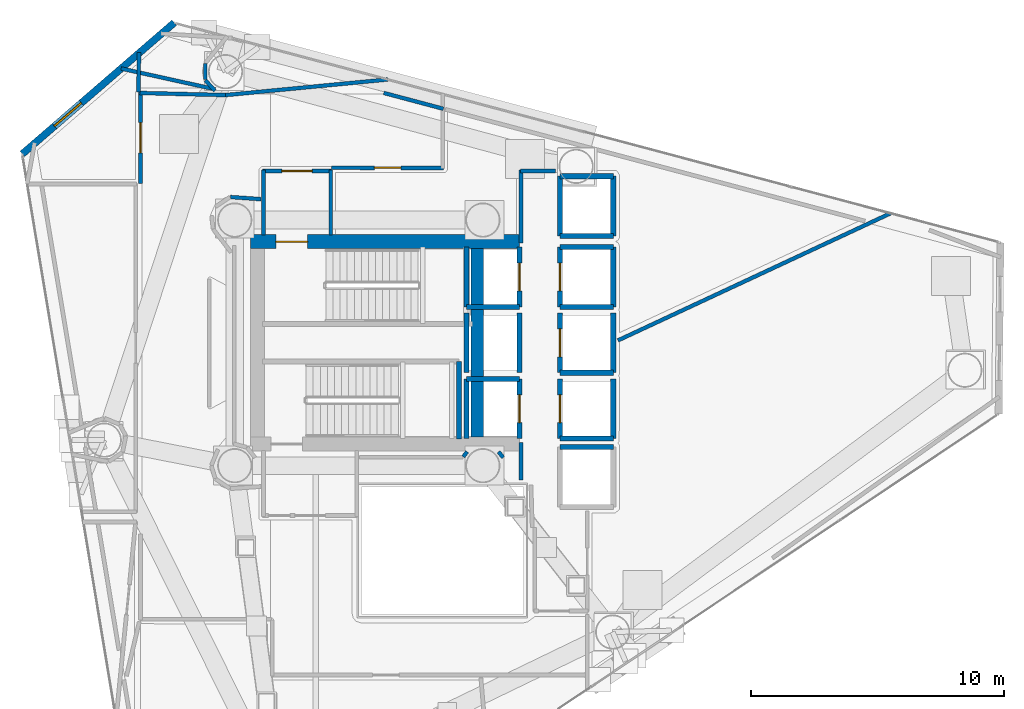
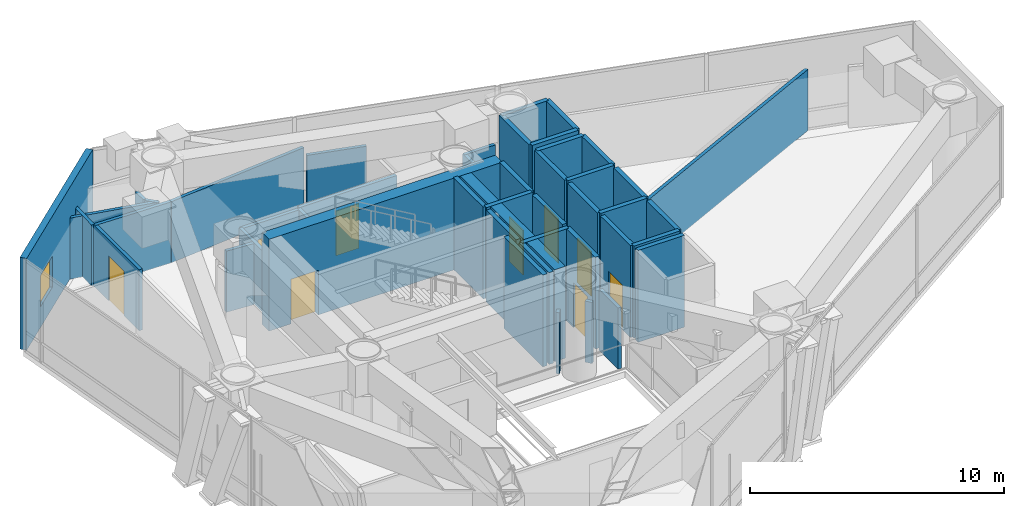
# One storey, part 18 of 22: 46 walls, 9 doors, 1 window, 10 openings.
"""IFC4 building model written with IfcOpenShell, lengths in metres."""

import ifcopenshell
import ifcopenshell.guid

model = None  # the IFC model being written
_history = None  # IfcOwnerHistory: only IFC2X3 demands one
_inside = {}  # id of a spatial element -> (the spatial element, [elements in it])
_under = {}  # id of a project, library or spatial element -> (it, [spatial elements below it])
_declared = {}  # id of a project -> (the project, [libraries it declares])
_typed = {}  # id of a type object -> (the type object, [elements of that type])
_made_of = {}  # id of a material, layer set ... -> (it, [elements and type objects made of it])


def new_model(schema):
    """Start an empty IFC model of exactly this schema.

    Asked for "IFC4X3", IfcOpenShell would pick the latest addendum, in which some entities
    have other attributes; the version numbers below select the first issue.
    IFC2X3 requires an IfcOwnerHistory on every rooted entity: one is made here for all.
    """
    global model, _history
    if schema == "IFC4X3":
        model = ifcopenshell.file(schema_version=(4, 3, 0, 0))
    else:
        model = ifcopenshell.file(schema=schema)
    _inside.clear()
    _under.clear()
    _declared.clear()
    _typed.clear()
    _made_of.clear()
    _history = None
    if model.schema == "IFC2X3":
        org = make("IfcOrganization", Name="unknown")
        user = make(
            "IfcPersonAndOrganization",
            ThePerson=make("IfcPerson", FamilyName="unknown"),
            TheOrganization=org,
        )
        app = make(
            "IfcApplication",
            ApplicationDeveloper=org,
            Version="unknown",
            ApplicationFullName="unknown",
            ApplicationIdentifier="unknown",
        )
        _history = make(
            "IfcOwnerHistory",
            OwningUser=user,
            OwningApplication=app,
            ChangeAction="ADDED",
            CreationDate=0,
        )
    return model


def make(cls, **values):
    """One entity of the class cls with the attributes given. An attribute that is None is left unset."""
    return model.create_entity(
        cls, **{name: value for name, value in values.items() if value is not None}
    )


def rooted(cls, **values):
    """An entity with a GlobalId (a new one), such as an element, a storey or a relation."""
    return make(cls, GlobalId=ifcopenshell.guid.new(), OwnerHistory=_history, **values)


def si_unit(unit_type, name, prefix=None):
    """IfcSIUnit, for example si_unit("LENGTHUNIT", "METRE", prefix="MILLI")."""
    return make("IfcSIUnit", UnitType=unit_type, Prefix=prefix, Name=name)


def assignment(units):
    """IfcUnitAssignment: the units of a project."""
    return None if units is None else make("IfcUnitAssignment", Units=units)


def point(xyz):
    """IfcCartesianPoint."""
    return None if xyz is None else make("IfcCartesianPoint", Coordinates=xyz)


def direction(xyz):
    """IfcDirection."""
    return None if xyz is None else make("IfcDirection", DirectionRatios=xyz)


def frame(location, z_axis=None, x_axis=None):
    """IfcAxis2Placement3D, a coordinate frame: its origin and axes. An axis left out is left unset."""
    return make(
        "IfcAxis2Placement3D",
        Location=point(location),
        Axis=direction(z_axis),
        RefDirection=direction(x_axis),
    )


def frame_2d(location, x_axis=None):
    """IfcAxis2Placement2D, a coordinate frame in the plane: its origin and x axis."""
    return make(
        "IfcAxis2Placement2D", Location=point(location), RefDirection=direction(x_axis)
    )


def origin():
    """The frame at (0, 0, 0) with its axes left unset."""
    return frame((0.0, 0.0, 0.0))


def place(relative_to, where):
    """IfcLocalPlacement: puts the frame where relative to a parent placement (None: the world)."""
    return make(
        "IfcLocalPlacement", PlacementRelTo=relative_to, RelativePlacement=where
    )


def context(
    kind, dimensions, precision=None, world=None, true_north=None, identifier=None
):
    """IfcGeometricRepresentationContext, for example the 3D "Model" context."""
    return make(
        "IfcGeometricRepresentationContext",
        ContextIdentifier=identifier,
        ContextType=kind,
        CoordinateSpaceDimension=dimensions,
        Precision=precision,
        WorldCoordinateSystem=world,
        TrueNorth=true_north,
    )


def subcontext(parent, identifier, kind, view, scale=None):
    """IfcGeometricRepresentationSubContext, for example "Body" below "Model"."""
    return make(
        "IfcGeometricRepresentationSubContext",
        ContextIdentifier=identifier,
        ContextType=kind,
        ParentContext=parent,
        TargetScale=scale,
        TargetView=view,
    )


def project(units=None, contexts=None):
    """IfcProject with its units and contexts."""
    return rooted(
        "IfcProject",
        Name="project",
        RepresentationContexts=contexts,
        UnitsInContext=assignment(units),
    )


def spatial(cls, under=None, at=None, **own):
    """A site, building, storey or space (cls), placed at a placement, below another one or the project."""
    s = rooted(cls, ObjectPlacement=at, **own)
    if under is not None:
        _under.setdefault(under.id(), (under, []))[1].append(s)
    return s


def profile(cls, at=None, kind="AREA", **sizes):
    """A parametric profile (cls). Its sizes go by their IFC names, for example OverallWidth=200.0."""
    return make(cls, ProfileType=kind, Position=at, **sizes)


def rectangle(**sizes):
    """IfcRectangleProfileDef."""
    return profile("IfcRectangleProfileDef", **sizes)


def extrude(swept, where, along, depth):
    """IfcExtrudedAreaSolid: the profile swept, set in the frame where, extruded along a direction by depth."""
    return make(
        "IfcExtrudedAreaSolid",
        SweptArea=swept,
        Position=where,
        ExtrudedDirection=direction(along),
        Depth=depth,
    )


def shape(context_of_items, identifier, shape_type, items):
    """IfcShapeRepresentation: the items that make up one representation, for example the "Body"."""
    return make(
        "IfcShapeRepresentation",
        ContextOfItems=context_of_items,
        RepresentationIdentifier=identifier,
        RepresentationType=shape_type,
        Items=items,
    )


def material(Name=None, Category=None):
    """IfcMaterial."""
    return make("IfcMaterial", Name=Name, Category=Category)


def layer(
    of_material, thickness, ventilated=None, Name=None, Category=None, Priority=None
):
    """IfcMaterialLayer: one layer of a wall or slab, of a material (None: an air gap)."""
    return make(
        "IfcMaterialLayer",
        Material=of_material,
        LayerThickness=thickness,
        IsVentilated=ventilated,
        Name=Name,
        Category=Category,
        Priority=Priority,
    )


def layer_set(layers, Name=None):
    """IfcMaterialLayerSet."""
    return make("IfcMaterialLayerSet", MaterialLayers=layers, LayerSetName=Name)


def made_of(thing, what):
    """Note that an element or type object is made of a material, layer set ...; save() writes the relation."""
    if what is not None:
        _made_of.setdefault(what.id(), (what, []))[1].append(thing)
    return thing


def type_object(cls, material=None, **own):
    """A type object (cls), such as IfcWallType, which elements share."""
    return made_of(rooted(cls, **own), material)


def element(
    cls,
    number,
    at=None,
    inside=None,
    cuts=None,
    type_object=None,
    material=None,
    context=None,
    identifier="Body",
    shape_type=None,
    held_by="IfcProductDefinitionShape",
    body=None,
    shapes=None,
    **own,
):
    """One element of the class cls, such as IfcWall. Its Tag is "e" and its number.

    at: its placement. inside: the storey or other place that contains it. cuts: it is an
    opening in that element (IfcRelVoidsElement). A single representation is given by context,
    identifier, shape_type and body (its items); several are given by shapes. held_by: the class
    of the entity that holds the representations. save() writes the other relations.
    """
    e = rooted(cls, Tag="e%d" % number, ObjectPlacement=at, **own)
    if body is not None:
        shapes = [shape(context, identifier, shape_type, body)]
    if shapes is not None:
        e.Representation = make(held_by, Representations=shapes)
    if inside is not None:
        _inside.setdefault(inside.id(), (inside, []))[1].append(e)
    if cuts is not None:
        rooted(
            "IfcRelVoidsElement", RelatingBuildingElement=cuts, RelatedOpeningElement=e
        )
    if type_object is not None:
        _typed.setdefault(type_object.id(), (type_object, []))[1].append(e)
    return made_of(e, material)


def fill(opening, filler):
    """IfcRelFillsElement: the door or window that sits in an opening."""
    return rooted(
        "IfcRelFillsElement",
        RelatingOpeningElement=opening,
        RelatedBuildingElement=filler,
    )


def aggregate(whole, parts):
    """IfcRelAggregates: a whole, such as a stair, and the parts it consists of."""
    return rooted("IfcRelAggregates", RelatingObject=whole, RelatedObjects=parts)


def save(model, path):
    """Write the relations noted so far, then the file.

    IfcRelAggregates (storeys below a building ...), IfcRelContainedInSpatialStructure (elements
    in a storey), IfcRelDefinesByType, IfcRelAssociatesMaterial and IfcRelDeclares: one each for
    every whole, place, type object, material and project.
    """
    for whole, parts in _under.values():
        aggregate(whole, parts)
    for where, things in _inside.values():
        rooted(
            "IfcRelContainedInSpatialStructure",
            RelatedElements=things,
            RelatingStructure=where,
        )
    for kind, things in _typed.values():
        rooted("IfcRelDefinesByType", RelatedObjects=things, RelatingType=kind)
    for what, things in _made_of.values():
        rooted("IfcRelAssociatesMaterial", RelatedObjects=things, RelatingMaterial=what)
    for by, libraries in _declared.values():
        rooted("IfcRelDeclares", RelatingContext=by, RelatedDefinitions=libraries)
    model.write(path)


model = new_model("IFC4")

# Units and contexts
model_context = context("Model", 3, precision=1e-05, world=origin(), true_north=direction((0.0, 1.0)))
body_context = subcontext(model_context, "Body", "Model", "MODEL_VIEW")
ifc_project = project(units=[si_unit("LENGTHUNIT", "METRE"), si_unit("AREAUNIT", "SQUARE_METRE"), si_unit("VOLUMEUNIT", "CUBIC_METRE"), si_unit("PLANEANGLEUNIT", "RADIAN"), si_unit("MASSUNIT", "GRAM", prefix="KILO")], contexts=[model_context])

# Site, building, storey
site_placement = place(None, origin())
site = spatial("IfcSite", under=ifc_project, at=site_placement, CompositionType="ELEMENT")
building_placement = place(site_placement, origin())
building = spatial("IfcBuilding", under=site, at=building_placement, Name="Qianvela Tower", CompositionType="ELEMENT")
storey_placement = place(building_placement, frame((0.0, 0.0, 184.60009765625)))
storey = spatial("IfcBuildingStorey", under=building, at=storey_placement, Name="L47", CompositionType="ELEMENT", Elevation=184.60009765625)

# Wall, opening, window
ifc_material_1 = material(Name="Terracotta Cladding on Concrete C40", Category="masonry")
ifc_layer_1 = layer(ifc_material_1, 0.280029296875)
ifc_layer_set_1 = layer_set([ifc_layer_1], Name="Terracotta Cladding on Concrete C40")
wall_type_1 = type_object("IfcWallType", Name="TERRACOTTA-WALL-280", PredefinedType="SOLIDWALL", material=ifc_layer_set_1)
wall_1_placement = place(storey_placement, frame((26.2099609375, 41.344970703125, 0.0), z_axis=(0.0, 0.0, 1.0), x_axis=(-0.756696991228, -0.653765755808, 0.0)))
wall_1 = element("IfcWall", 1, at=wall_1_placement, inside=storey, type_object=wall_type_1, Name="L47 Terracotta Chamfer Facet Wall 3", PredefinedType="SOLIDWALL", context=body_context, shape_type="SweptSolid", body=[
    extrude(rectangle(XDim=7.92919921875, YDim=0.280029296875, at=frame_2d((3.964599609375, 0.0))), origin(), (0.0, 0.0, 1.0), 4.419921875),
])
opening_1_placement = place(wall_1_placement, frame((4.850341796875, 0.0, 1.0)))
opening_1 = element("IfcOpeningElement", 2, at=opening_1_placement, cuts=wall_1, Name="Opening W-06", PredefinedType="OPENING", context=body_context, shape_type="SweptSolid", body=[
    extrude(rectangle(XDim=1.39990234375, YDim=1.5, at=frame_2d((0.699951171875, 0.75))), frame((0.0, 0.14990234375, 0.0), z_axis=(0.0, -1.0, 0.0), x_axis=(1.0, 0.0, 0.0)), (0.0, 0.0, 1.0), 0.300048828125),
])
ifc_material_2 = material(Name="Thermally Broken Aluminium and Low-E Glass", Category="aluminium")
window_type = type_object("IfcWindowType", Name="WIN-REF-1400x1500", PartitioningType="SINGLE_PANEL", PredefinedType="WINDOW", material=ifc_material_2)
window_placement = place(opening_1_placement, origin())
window = element("IfcWindow", 3, at=window_placement, inside=storey, type_object=window_type, Name="L47 Chamfer Facet Window 3.1", OverallHeight=1.5, OverallWidth=1.39990234375, PartitioningType="SINGLE_PANEL", PredefinedType="WINDOW", context=body_context, shape_type="SweptSolid", body=[
    extrude(rectangle(XDim=1.39990234375, YDim=1.5, at=frame_2d((0.699951171875, 0.75))), frame((0.0, 0.030029296875, 0.0), z_axis=(0.0, -1.0, 0.0), x_axis=(1.0, 0.0, 0.0)), (0.0, 0.0, 1.0), 0.06005859375),
])
fill(opening_1, window)

# Wall, opening, door
ifc_material_3 = material(Name="Concrete C60", Category="concrete")
ifc_layer_2 = layer(ifc_material_3, 0.550048828125)
ifc_layer_set_2 = layer_set([ifc_layer_2], Name="Concrete C60")
wall_type_2 = type_object("IfcWallType", Name="WT-CORE-550", PredefinedType="SHEAR", material=ifc_layer_set_2)
wall_2_placement = place(storey_placement, frame((29.22998046875, 32.695068359375, 0.0), z_axis=(0.0, 0.0, 1.0), x_axis=(1.0, 0.0, 0.0)))
wall_2 = element("IfcWall", 4, at=wall_2_placement, inside=storey, type_object=wall_type_2, Name="L47 North Core Shear Wall", PredefinedType="SHEAR", context=body_context, shape_type="SweptSolid", body=[
    extrude(rectangle(XDim=10.6201171875, YDim=0.550048828125, at=frame_2d((5.31005859375, 0.0))), origin(), (0.0, 0.0, 1.0), 4.419921875),
])
opening_2_placement = place(wall_2_placement, frame((0.9951171875, 0.0, 0.0)))
opening_2 = element("IfcOpeningElement", 5, at=opening_2_placement, cuts=wall_2, Name="Opening D-ST1", PredefinedType="OPENING", context=body_context, shape_type="SweptSolid", body=[
    extrude(rectangle(XDim=1.25, YDim=2.14990234375, at=frame_2d((0.625, 1.074951171875))), frame((0.0, 0.284912109375, 0.0), z_axis=(0.0, -1.0, 0.0), x_axis=(1.0, 0.0, 0.0)), (0.0, 0.0, 1.0), 0.570068359375),
])
ifc_material_4 = material(Name="Galvanised Fire Steel Q355B", Category="steel")
door_type_1 = type_object("IfcDoorType", Name="DT-STAIR-FD90", OperationType="NOTDEFINED", PredefinedType="DOOR", material=ifc_material_4)
door_1_placement = place(opening_2_placement, origin())
door_1 = element("IfcDoor", 6, at=door_1_placement, inside=storey, type_object=door_type_1, Name="L47 Stair ST-1 Exit Door", OperationType="SINGLE_SWING_RIGHT", OverallHeight=2.14990234375, OverallWidth=1.25, PredefinedType="DOOR", context=body_context, shape_type="SweptSolid", body=[
    extrude(rectangle(XDim=1.25, YDim=2.14990234375, at=frame_2d((0.625, 1.074951171875))), frame((0.0, 0.02490234375, 0.0), z_axis=(0.0, -1.0, 0.0), x_axis=(1.0, 0.0, 0.0)), (0.0, 0.0, 1.0), 0.050048828125),
])
fill(opening_2, door_1)

# Walls
wall_3_placement = place(storey_placement, frame((38.179931640625, 24.97998046875, 0.0), z_axis=(0.0, 0.0, 1.0), x_axis=(0.0, 1.0, 0.0)))
element("IfcWall", 7, at=wall_3_placement, inside=storey, type_object=wall_type_2, Name="L47 East Spine Core Shear Wall", PredefinedType="SHEAR", context=body_context, shape_type="SweptSolid", body=[
    extrude(rectangle(XDim=7.43994140625, YDim=0.5, at=frame_2d((3.719970703125, 0.0))), origin(), (0.0, 0.0, 1.0), 4.419921875),
])
ifc_material_5 = material(Name="Fire-Rated Acoustic Gypsum Board")
ifc_layer_3 = layer(ifc_material_5, 0.14990234375)
ifc_layer_set_3 = layer_set([ifc_layer_3], Name="Fire-Rated Acoustic Gypsum Board")
wall_type_3 = type_object("IfcWallType", Name="WT-CORR-150", PredefinedType="PARTITIONING", material=ifc_layer_set_3)
wall_4_placement = place(storey_placement, frame((29.73095703125, 32.9580078125, 0.0), z_axis=(0.0, 0.0, 1.0), x_axis=(0.0, 1.0, 0.0)))
element("IfcWall", 8, at=wall_4_placement, inside=storey, type_object=wall_type_3, Name="L47 Partition 2", PredefinedType="PARTITIONING", context=body_context, shape_type="SweptSolid", body=[
    extrude(rectangle(XDim=2.56201171875, YDim=0.14990234375, at=frame_2d((1.281005859375, 0.0))), origin(), (0.0, 0.0, 1.0), 2.93994140625),
])

# Wall, opening, door
wall_5_placement = place(storey_placement, frame((29.699951171875, 35.489013671875, 0.0), z_axis=(0.0, 0.0, 1.0), x_axis=(1.0, 0.0, 0.0)))
wall_5 = element("IfcWall", 9, at=wall_5_placement, inside=storey, type_object=wall_type_3, Name="L47 Partition 3", PredefinedType="PARTITIONING", context=body_context, shape_type="SweptSolid", body=[
    extrude(rectangle(XDim=2.719970703125, YDim=0.14990234375, at=frame_2d((1.35986328125, 0.0))), origin(), (0.0, 0.0, 1.0), 2.93994140625),
])
opening_3_placement = place(wall_5_placement, frame((0.760009765625, 0.0, 0.0)))
opening_3 = element("IfcOpeningElement", 10, at=opening_3_placement, cuts=wall_5, Name="Opening D-LB1", PredefinedType="OPENING", context=body_context, shape_type="SweptSolid", body=[
    extrude(rectangle(XDim=1.199951171875, YDim=2.14990234375, at=frame_2d((0.60009765625, 1.074951171875))), frame((0.0, 0.0849609375, 0.0), z_axis=(0.0, -1.0, 0.0), x_axis=(1.0, 0.0, 0.0)), (0.0, 0.0, 1.0), 0.169921875),
])
ifc_material_6 = material(Name="Glazed Fire-Rated Steel Frame", Category="steel")
door_type_2 = type_object("IfcDoorType", Name="DT-LOBBY-FD90", OperationType="NOTDEFINED", PredefinedType="DOOR", material=ifc_material_6)
door_2_placement = place(opening_3_placement, origin())
door_2 = element("IfcDoor", 11, at=door_2_placement, inside=storey, type_object=door_type_2, Name="L47 Door L47 Firefighting Lobby North to L47 Mechanical Plant Corridor", OperationType="SINGLE_SWING_LEFT", OverallHeight=2.14990234375, OverallWidth=1.199951171875, PredefinedType="DOOR", context=body_context, shape_type="SweptSolid", body=[
    extrude(rectangle(XDim=1.199951171875, YDim=2.14990234375, at=frame_2d((0.60009765625, 1.074951171875))), frame((0.0, 0.02490234375, 0.0), z_axis=(0.0, -1.0, 0.0), x_axis=(1.0, 0.0, 0.0)), (0.0, 0.0, 1.0), 0.050048828125),
])
fill(opening_3, door_2)

# Walls
wall_6_placement = place(storey_placement, frame((32.388916015625, 35.52001953125, 0.0), z_axis=(0.0, 0.0, 1.0), x_axis=(0.0, -1.0, 0.0)))
element("IfcWall", 12, at=wall_6_placement, inside=storey, type_object=wall_type_3, Name="L47 Partition 4", PredefinedType="PARTITIONING", context=body_context, shape_type="SweptSolid", body=[
    extrude(rectangle(XDim=2.56201171875, YDim=0.14990234375, at=frame_2d((1.281005859375, 0.0))), origin(), (0.0, 0.0, 1.0), 2.93994140625),
])
wall_7_placement = place(storey_placement, frame((39.910888671875, 23.280029296875, 0.0), z_axis=(0.0, 0.0, 1.0), x_axis=(0.0, 1.0, 0.0)))
element("IfcWall", 13, at=wall_7_placement, inside=storey, type_object=wall_type_3, Name="L47 Partition 10", PredefinedType="PARTITIONING", context=body_context, shape_type="SweptSolid", body=[
    extrude(rectangle(XDim=1.47998046875, YDim=0.14990234375, at=frame_2d((0.739990234375, 0.0))), origin(), (0.0, 0.0, 1.0), 2.93994140625),
])
wall_8_placement = place(storey_placement, frame((39.910888671875, 32.639892578125, 0.0), z_axis=(0.0, 0.0, 1.0), x_axis=(0.0, 1.0, 0.0)))
element("IfcWall", 14, at=wall_8_placement, inside=storey, type_object=wall_type_3, Name="L47 Partition 12", PredefinedType="PARTITIONING", context=body_context, shape_type="SweptSolid", body=[
    extrude(rectangle(XDim=2.880126953125, YDim=0.14990234375, at=frame_2d((1.43994140625, 0.0))), origin(), (0.0, 0.0, 1.0), 2.93994140625),
])
wall_9_placement = place(storey_placement, frame((39.8798828125, 35.489013671875, 0.0), z_axis=(0.0, 0.0, 1.0), x_axis=(1.0, 0.0, 0.0)))
element("IfcWall", 15, at=wall_9_placement, inside=storey, type_object=wall_type_3, Name="L47 Partition 13", PredefinedType="PARTITIONING", context=body_context, shape_type="SweptSolid", body=[
    extrude(rectangle(XDim=1.3828125, YDim=0.14990234375, at=frame_2d((0.69140625, 0.0))), origin(), (0.0, 0.0, 1.0), 2.93994140625),
])
wall_10_placement = place(storey_placement, frame((39.20166015625, 24.169189453125, 0.0), z_axis=(0.0, 0.0, 1.0), x_axis=(-0.622453876994, 0.782656483405, 0.0)))
element("IfcWall", 16, at=wall_10_placement, inside=storey, type_object=wall_type_3, Name="L47 Partition 31", PredefinedType="PARTITIONING", context=body_context, shape_type="SweptSolid", body=[
    extrude(rectangle(XDim=0.29248046875, YDim=0.14990234375, at=frame_2d((0.146240234375, 0.0))), origin(), (0.0, 0.0, 1.0), 2.93994140625),
])
wall_11_placement = place(storey_placement, frame((37.780517578125, 24.398193359375, 0.0), z_axis=(0.0, 0.0, 1.0), x_axis=(-0.622697708845, -0.782462499676, 0.0)))
element("IfcWall", 17, at=wall_11_placement, inside=storey, type_object=wall_type_3, Name="L47 Partition 34", PredefinedType="PARTITIONING", context=body_context, shape_type="SweptSolid", body=[
    extrude(rectangle(XDim=0.253662109375, YDim=0.14990234375, at=frame_2d((0.126953125, 0.0))), origin(), (0.0, 0.0, 1.0), 2.93994140625),
])

# Wall, opening, door
wall_12_placement = place(storey_placement, frame((24.881103515625, 35.0, 0.0), z_axis=(0.0, 0.0, 1.0), x_axis=(0.0, 1.0, 0.0)))
wall_12 = element("IfcWall", 18, at=wall_12_placement, inside=storey, type_object=wall_type_3, Name="L47 Partition 63 seg 3", PredefinedType="PARTITIONING", context=body_context, shape_type="SweptSolid", body=[
    extrude(rectangle(XDim=3.60009765625, YDim=0.14990234375, at=frame_2d((1.800048828125, 0.0))), origin(), (0.0, 0.0, 1.0), 2.93994140625),
])
opening_4_placement = place(wall_12_placement, frame((1.199951171875, 0.0, 0.0)))
opening_4 = element("IfcOpeningElement", 19, at=opening_4_placement, cuts=wall_12, Name="Opening D-LB1", PredefinedType="OPENING", context=body_context, shape_type="SweptSolid", body=[
    extrude(rectangle(XDim=1.199951171875, YDim=2.14990234375, at=frame_2d((0.60009765625, 1.074951171875))), frame((0.0, 0.0849609375, 0.0), z_axis=(0.0, -1.0, 0.0), x_axis=(1.0, 0.0, 0.0)), (0.0, 0.0, 1.0), 0.169921875),
])
door_3_placement = place(opening_4_placement, origin())
door_3 = element("IfcDoor", 20, at=door_3_placement, inside=storey, type_object=door_type_2, Name="L47 Door L47 Fire Refuge Area 3 to L47 Mechanical Plant Corridor", OperationType="SINGLE_SWING_LEFT", OverallHeight=2.14990234375, OverallWidth=1.199951171875, PredefinedType="DOOR", context=body_context, shape_type="SweptSolid", body=[
    extrude(rectangle(XDim=1.199951171875, YDim=2.14990234375, at=frame_2d((0.60009765625, 1.074951171875))), frame((0.0, 0.02490234375, 0.0), z_axis=(0.0, -1.0, 0.0), x_axis=(1.0, 0.0, 0.0)), (0.0, 0.0, 1.0), 0.050048828125),
])
fill(opening_4, door_3)

# Walls
wall_13_placement = place(storey_placement, frame((24.84912109375, 38.569091796875, 0.0), z_axis=(0.0, 0.0, 1.0), x_axis=(0.999692357243, -0.024803041536, 0.0)))
element("IfcWall", 21, at=wall_13_placement, inside=storey, type_object=wall_type_3, Name="L47 Partition 64", PredefinedType="PARTITIONING", context=body_context, shape_type="SweptSolid", body=[
    extrude(rectangle(XDim=3.385986328125, YDim=0.14990234375, at=frame_2d((1.69287109375, 0.0))), origin(), (0.0, 0.0, 1.0), 2.93994140625),
])
wall_14_placement = place(storey_placement, frame((28.2353515625, 38.485107421875, 0.0), z_axis=(0.0, 0.0, 1.0), x_axis=(0.99541493838, 0.095650930208, 0.0)))
element("IfcWall", 22, at=wall_14_placement, inside=storey, type_object=wall_type_3, Name="L47 Partition 65 seg 1", PredefinedType="PARTITIONING", context=body_context, shape_type="SweptSolid", body=[
    extrude(rectangle(XDim=6.43212890625, YDim=0.14990234375, at=frame_2d((3.216064453125, 0.0))), origin(), (0.0, 0.0, 1.0), 2.93994140625),
])
wall_15_placement = place(storey_placement, frame((34.488037109375, 38.570068359375, 0.0), z_axis=(0.0, 0.0, 1.0), x_axis=(0.966314735994, -0.257363227757, 0.0)))
element("IfcWall", 23, at=wall_15_placement, inside=storey, type_object=wall_type_3, Name="L47 Partition 66", PredefinedType="PARTITIONING", context=body_context, shape_type="SweptSolid", body=[
    extrude(rectangle(XDim=2.43603515625, YDim=0.14990234375, at=frame_2d((1.218017578125, 0.0))), origin(), (0.0, 0.0, 1.0), 2.93994140625),
])

# Wall, opening, door
wall_16_placement = place(storey_placement, frame((36.85009765625, 35.611083984375, 0.0), z_axis=(0.0, 0.0, 1.0), x_axis=(-0.999999993926, 0.000110217127, 0.0)))
wall_16 = element("IfcWall", 24, at=wall_16_placement, inside=storey, type_object=wall_type_3, Name="L47 Partition 68 seg 1", PredefinedType="PARTITIONING", context=body_context, shape_type="SweptSolid", body=[
    extrude(rectangle(XDim=4.43017578125, YDim=0.14990234375, at=frame_2d((2.215087890625, 0.0))), origin(), (0.0, 0.0, 1.0), 2.93994140625),
])
opening_5_placement = place(wall_16_placement, frame((1.68994140625, 0.0, 0.0)))
opening_5 = element("IfcOpeningElement", 25, at=opening_5_placement, cuts=wall_16, Name="Opening D-PL1", PredefinedType="OPENING", context=body_context, shape_type="SweptSolid", body=[
    extrude(rectangle(XDim=1.050048828125, YDim=2.14990234375, at=frame_2d((0.52490234375, 1.074951171875))), frame((0.0, 0.0849609375, 0.0), z_axis=(0.0, -1.0, 0.0), x_axis=(1.0, 0.0, 0.0)), (0.0, 0.0, 1.0), 0.169921875),
])
ifc_material_7 = material(Name="Insulated Steel Fire Door Q355B", Category="steel")
door_type_3 = type_object("IfcDoorType", Name="DT-PLANT-FD90", OperationType="NOTDEFINED", PredefinedType="DOOR", material=ifc_material_7)
door_4_placement = place(opening_5_placement, origin())
door_4 = element("IfcDoor", 26, at=door_4_placement, inside=storey, type_object=door_type_3, Name="L47 Door L47 Hydronic Heat Exchanger and Fire Pump Room to L47 Mechanical Plant Corridor", OperationType="SINGLE_SWING_RIGHT", OverallHeight=2.14990234375, OverallWidth=1.050048828125, PredefinedType="DOOR", context=body_context, shape_type="SweptSolid", body=[
    extrude(rectangle(XDim=1.050048828125, YDim=2.14990234375, at=frame_2d((0.52490234375, 1.074951171875))), frame((0.0, 0.02490234375, 0.0), z_axis=(0.0, -1.0, 0.0), x_axis=(1.0, 0.0, 0.0)), (0.0, 0.0, 1.0), 0.050048828125),
])
fill(opening_5, door_4)

# Walls
wall_17_placement = place(storey_placement, frame((29.64013671875, 34.373779296875, 0.0), z_axis=(0.0, 0.0, 1.0), x_axis=(-0.997554628318, 0.069891083281, 0.0)))
element("IfcWall", 27, at=wall_17_placement, inside=storey, type_object=wall_type_3, Name="L47 Partition 70", PredefinedType="PARTITIONING", context=body_context, shape_type="SweptSolid", body=[
    extrude(rectangle(XDim=1.215576171875, YDim=0.14990234375, at=frame_2d((0.60791015625, 0.0))), origin(), (0.0, 0.0, 1.0), 2.93994140625),
])
wall_18_placement = place(storey_placement, frame((24.819091796875, 40.1630859375, 0.0), z_axis=(0.0, 0.0, 1.0), x_axis=(-0.0156182135, -0.999878028265, 0.0)))
element("IfcWall", 28, at=wall_18_placement, inside=storey, type_object=wall_type_3, Name="L47 Partition 80 seg 1", PredefinedType="PARTITIONING", context=body_context, shape_type="SweptSolid", body=[
    extrude(rectangle(XDim=1.563232421875, YDim=0.14990234375, at=frame_2d((0.78173828125, 0.0))), origin(), (0.0, 0.0, 1.0), 2.93994140625),
])
wall_19_placement = place(storey_placement, frame((27.4326171875, 39.73046875, 0.0), z_axis=(0.0, 0.0, 1.0), x_axis=(0.0, -1.0, 0.0)))
element("IfcWall", 29, at=wall_19_placement, inside=storey, type_object=wall_type_3, Name="L47 Partition 87", PredefinedType="PARTITIONING", context=body_context, shape_type="SweptSolid", body=[
    extrude(rectangle(XDim=0.638916015625, YDim=0.14990234375, at=frame_2d((0.3193359375, 0.0))), origin(), (0.0, 0.0, 1.0), 2.93994140625),
])
wall_20_placement = place(storey_placement, frame((27.440673828125, 39.070556640625, 0.0), z_axis=(0.0, 0.0, 1.0), x_axis=(0.674871425399, -0.737935335365, 0.0)))
element("IfcWall", 30, at=wall_20_placement, inside=storey, type_object=wall_type_3, Name="L47 Partition 88", PredefinedType="PARTITIONING", context=body_context, shape_type="SweptSolid", body=[
    extrude(rectangle(XDim=0.557373046875, YDim=0.14990234375, at=frame_2d((0.27880859375, 0.0))), origin(), (0.0, 0.0, 1.0), 2.93994140625),
])
wall_21_placement = place(storey_placement, frame((27.83984375, 38.7109375, 0.0), z_axis=(0.0, 0.0, 1.0), x_axis=(-0.976497643717, 0.21552807663, 0.0)))
element("IfcWall", 31, at=wall_21_placement, inside=storey, type_object=wall_type_3, Name="L47 Partition 89", PredefinedType="PARTITIONING", context=body_context, shape_type="SweptSolid", body=[
    extrude(rectangle(XDim=3.816162109375, YDim=0.14990234375, at=frame_2d((1.908203125, 0.0))), origin(), (0.0, 0.0, 1.0), 2.93994140625),
])
wall_22_placement = place(storey_placement, frame((43.733154296875, 28.795166015625, 0.0), z_axis=(0.0, 0.0, 1.0), x_axis=(0.906312645593, 0.422607842376, 0.0)))
element("IfcWall", 32, at=wall_22_placement, inside=storey, type_object=wall_type_3, Name="L47 Partition 103", PredefinedType="PARTITIONING", context=body_context, shape_type="SweptSolid", body=[
    extrude(rectangle(XDim=11.891845703125, YDim=0.14990234375, at=frame_2d((5.94580078125, 0.0))), origin(), (0.0, 0.0, 1.0), 2.93994140625),
])
ifc_material_8 = material(Name="Concrete C50", Category="concrete")
ifc_layer_4 = layer(ifc_material_8, 0.199951171875)
ifc_layer_set_4 = layer_set([ifc_layer_4], Name="Concrete C50")
wall_type_4 = type_object("IfcWallType", Name="WT-SHAFT-200", PredefinedType="SOLIDWALL", material=ifc_layer_set_4)
wall_23_placement = place(storey_placement, frame((37.449951171875, 24.89990234375, 0.0), z_axis=(0.0, 0.0, 1.0), x_axis=(0.0, 1.0, 0.0)))
element("IfcWall", 33, at=wall_23_placement, inside=storey, type_object=wall_type_4, Name="L47 Stair ST-2 East Wall", PredefinedType="SOLIDWALL", context=body_context, shape_type="SweptSolid", body=[
    extrude(rectangle(XDim=3.06005859375, YDim=0.199951171875, at=frame_2d((1.530029296875, 0.0))), origin(), (0.0, 0.0, 1.0), 4.419921875),
])

# Wall, opening, door
wall_24_placement = place(storey_placement, frame((39.85009765625, 30.1201171875, 0.0), z_axis=(0.0, 0.0, 1.0), x_axis=(0.0, 1.0, 0.0)))
wall_24 = element("IfcWall", 34, at=wall_24_placement, inside=storey, type_object=wall_type_4, Name="L47 Lift FL-1 E Shaft Wall", PredefinedType="SOLIDWALL", context=body_context, shape_type="SweptSolid", body=[
    extrude(rectangle(XDim=2.35986328125, YDim=0.199951171875, at=frame_2d((1.179931640625, 0.0))), origin(), (0.0, 0.0, 1.0), 4.419921875),
])
opening_6_placement = place(wall_24_placement, frame((0.6298828125, 0.0, 0.0)))
opening_6 = element("IfcOpeningElement", 35, at=opening_6_placement, cuts=wall_24, Name="Opening LD-01", PredefinedType="OPENING", context=body_context, shape_type="SweptSolid", body=[
    extrude(rectangle(XDim=1.10009765625, YDim=2.14990234375, at=frame_2d((0.550048828125, 1.074951171875))), frame((0.0, 0.10986328125, 0.0), z_axis=(0.0, -1.0, 0.0), x_axis=(1.0, 0.0, 0.0)), (0.0, 0.0, 1.0), 0.219970703125),
])
ifc_material_9 = material(Name="Brushed Stainless Steel Lift Landing Door", Category="steel")
door_type_4 = type_object("IfcDoorType", Name="DT-LIFT-SLIDE-1100", OperationType="SLIDING_TO_LEFT", PredefinedType="DOOR", material=ifc_material_9)
door_5_placement = place(opening_6_placement, origin())
door_5 = element("IfcDoor", 36, at=door_5_placement, inside=storey, type_object=door_type_4, Name="L47 Lift FL-1 Sliding Landing Door", OperationType="SLIDING_TO_LEFT", OverallHeight=2.14990234375, OverallWidth=1.10009765625, PredefinedType="DOOR", context=body_context, shape_type="SweptSolid", body=[
    extrude(rectangle(XDim=1.10009765625, YDim=2.14990234375, at=frame_2d((0.550048828125, 1.074951171875))), frame((0.0, 0.02490234375, 0.0), z_axis=(0.0, -1.0, 0.0), x_axis=(1.0, 0.0, 0.0)), (0.0, 0.0, 1.0), 0.050048828125),
])
fill(opening_6, door_5)

# Walls
wall_25_placement = place(storey_placement, frame((37.75, 30.1201171875, 0.0), z_axis=(0.0, 0.0, 1.0), x_axis=(0.0, 1.0, 0.0)))
element("IfcWall", 37, at=wall_25_placement, inside=storey, type_object=wall_type_4, Name="L47 Lift FL-1 W Shaft Wall", PredefinedType="SOLIDWALL", context=body_context, shape_type="SweptSolid", body=[
    extrude(rectangle(XDim=2.35986328125, YDim=0.199951171875, at=frame_2d((1.179931640625, 0.0))), origin(), (0.0, 0.0, 1.0), 4.419921875),
])
wall_26_placement = place(storey_placement, frame((37.75, 30.1201171875, 0.0), z_axis=(0.0, 0.0, 1.0), x_axis=(1.0, 0.0, 0.0)))
element("IfcWall", 38, at=wall_26_placement, inside=storey, type_object=wall_type_4, Name="L47 Lift FL-1 S Shaft Wall", PredefinedType="SOLIDWALL", context=body_context, shape_type="SweptSolid", body=[
    extrude(rectangle(XDim=2.10009765625, YDim=0.199951171875, at=frame_2d((1.050048828125, 0.0))), origin(), (0.0, 0.0, 1.0), 4.419921875),
])

# Wall, opening, door
wall_27_placement = place(storey_placement, frame((39.85009765625, 24.919921875, 0.0), z_axis=(0.0, 0.0, 1.0), x_axis=(0.0, 1.0, 0.0)))
wall_27 = element("IfcWall", 39, at=wall_27_placement, inside=storey, type_object=wall_type_4, Name="L47 Lift FL-2 E Shaft Wall", PredefinedType="SOLIDWALL", context=body_context, shape_type="SweptSolid", body=[
    extrude(rectangle(XDim=2.360107421875, YDim=0.199951171875, at=frame_2d((1.18017578125, 0.0))), origin(), (0.0, 0.0, 1.0), 4.419921875),
])
opening_7_placement = place(wall_27_placement, frame((0.6298828125, 0.0, 0.0)))
opening_7 = element("IfcOpeningElement", 40, at=opening_7_placement, cuts=wall_27, Name="Opening LD-01", PredefinedType="OPENING", context=body_context, shape_type="SweptSolid", body=[
    extrude(rectangle(XDim=1.10009765625, YDim=2.14990234375, at=frame_2d((0.550048828125, 1.074951171875))), frame((0.0, 0.10986328125, 0.0), z_axis=(0.0, -1.0, 0.0), x_axis=(1.0, 0.0, 0.0)), (0.0, 0.0, 1.0), 0.219970703125),
])
door_6_placement = place(opening_7_placement, origin())
door_6 = element("IfcDoor", 41, at=door_6_placement, inside=storey, type_object=door_type_4, Name="L47 Lift FL-2 Sliding Landing Door", OperationType="SLIDING_TO_LEFT", OverallHeight=2.14990234375, OverallWidth=1.10009765625, PredefinedType="DOOR", context=body_context, shape_type="SweptSolid", body=[
    extrude(rectangle(XDim=1.10009765625, YDim=2.14990234375, at=frame_2d((0.550048828125, 1.074951171875))), frame((0.0, 0.02490234375, 0.0), z_axis=(0.0, -1.0, 0.0), x_axis=(1.0, 0.0, 0.0)), (0.0, 0.0, 1.0), 0.050048828125),
])
fill(opening_7, door_6)

# Walls
wall_28_placement = place(storey_placement, frame((37.75, 24.919921875, 0.0), z_axis=(0.0, 0.0, 1.0), x_axis=(0.0, 1.0, 0.0)))
element("IfcWall", 42, at=wall_28_placement, inside=storey, type_object=wall_type_4, Name="L47 Lift FL-2 W Shaft Wall", PredefinedType="SOLIDWALL", context=body_context, shape_type="SweptSolid", body=[
    extrude(rectangle(XDim=2.360107421875, YDim=0.199951171875, at=frame_2d((1.18017578125, 0.0))), origin(), (0.0, 0.0, 1.0), 4.419921875),
])
wall_29_placement = place(storey_placement, frame((37.75, 27.280029296875, 0.0), z_axis=(0.0, 0.0, 1.0), x_axis=(1.0, 0.0, 0.0)))
element("IfcWall", 43, at=wall_29_placement, inside=storey, type_object=wall_type_4, Name="L47 Lift FL-2 N Shaft Wall", PredefinedType="SOLIDWALL", context=body_context, shape_type="SweptSolid", body=[
    extrude(rectangle(XDim=2.10009765625, YDim=0.199951171875, at=frame_2d((1.050048828125, 0.0))), origin(), (0.0, 0.0, 1.0), 4.419921875),
])
wall_30_placement = place(storey_placement, frame((43.550048828125, 30.1201171875, 0.0), z_axis=(0.0, 0.0, 1.0), x_axis=(0.0, 1.0, 0.0)))
element("IfcWall", 44, at=wall_30_placement, inside=storey, type_object=wall_type_4, Name="L47 Lift PL-M1 E Shaft Wall", PredefinedType="SOLIDWALL", context=body_context, shape_type="SweptSolid", body=[
    extrude(rectangle(XDim=2.35986328125, YDim=0.199951171875, at=frame_2d((1.179931640625, 0.0))), origin(), (0.0, 0.0, 1.0), 4.419921875),
])

# Wall, opening, door
wall_31_placement = place(storey_placement, frame((41.449951171875, 30.1201171875, 0.0), z_axis=(0.0, 0.0, 1.0), x_axis=(0.0, 1.0, 0.0)))
wall_31 = element("IfcWall", 45, at=wall_31_placement, inside=storey, type_object=wall_type_4, Name="L47 Lift PL-M1 W Shaft Wall", PredefinedType="SOLIDWALL", context=body_context, shape_type="SweptSolid", body=[
    extrude(rectangle(XDim=2.35986328125, YDim=0.199951171875, at=frame_2d((1.179931640625, 0.0))), origin(), (0.0, 0.0, 1.0), 4.419921875),
])
opening_8_placement = place(wall_31_placement, frame((0.6298828125, 0.0, 0.0)))
opening_8 = element("IfcOpeningElement", 46, at=opening_8_placement, cuts=wall_31, Name="Opening LD-01", PredefinedType="OPENING", context=body_context, shape_type="SweptSolid", body=[
    extrude(rectangle(XDim=1.10009765625, YDim=2.14990234375, at=frame_2d((0.550048828125, 1.074951171875))), frame((0.0, 0.10986328125, 0.0), z_axis=(0.0, -1.0, 0.0), x_axis=(1.0, 0.0, 0.0)), (0.0, 0.0, 1.0), 0.219970703125),
])
door_7_placement = place(opening_8_placement, origin())
door_7 = element("IfcDoor", 47, at=door_7_placement, inside=storey, type_object=door_type_4, Name="L47 Lift PL-M1 Sliding Landing Door", OperationType="SLIDING_TO_LEFT", OverallHeight=2.14990234375, OverallWidth=1.10009765625, PredefinedType="DOOR", context=body_context, shape_type="SweptSolid", body=[
    extrude(rectangle(XDim=1.10009765625, YDim=2.14990234375, at=frame_2d((0.550048828125, 1.074951171875))), frame((0.0, 0.02490234375, 0.0), z_axis=(0.0, -1.0, 0.0), x_axis=(1.0, 0.0, 0.0)), (0.0, 0.0, 1.0), 0.050048828125),
])
fill(opening_8, door_7)

# Walls
for number, where, z_axis, x_axis, name in (
    (48, (41.449951171875, 32.47998046875, 0.0), (0.0, 0.0, 1.0), (1.0, 0.0, 0.0), "L47 Lift PL-M1 N Shaft Wall"),
    (49, (41.449951171875, 30.1201171875, 0.0), (0.0, 0.0, 1.0), (1.0, 0.0, 0.0), "L47 Lift PL-M1 S Shaft Wall"),
):
    element("IfcWall", number, at=place(storey_placement, frame(where, z_axis=z_axis, x_axis=x_axis)), inside=storey, type_object=wall_type_4, Name=name, PredefinedType="SOLIDWALL", context=body_context, shape_type="SweptSolid", body=[
        extrude(rectangle(XDim=2.10009765625, YDim=0.199951171875, at=frame_2d((1.050048828125, 0.0))), origin(), (0.0, 0.0, 1.0), 4.419921875),
    ])
wall_32_placement = place(storey_placement, frame((43.550048828125, 27.52001953125, 0.0), z_axis=(0.0, 0.0, 1.0), x_axis=(0.0, 1.0, 0.0)))
element("IfcWall", 50, at=wall_32_placement, inside=storey, type_object=wall_type_4, Name="L47 Lift PL-M2 E Shaft Wall", PredefinedType="SOLIDWALL", context=body_context, shape_type="SweptSolid", body=[
    extrude(rectangle(XDim=2.35986328125, YDim=0.199951171875, at=frame_2d((1.179931640625, 0.0))), origin(), (0.0, 0.0, 1.0), 4.419921875),
])

# Wall, opening, door
wall_33_placement = place(storey_placement, frame((41.449951171875, 27.52001953125, 0.0), z_axis=(0.0, 0.0, 1.0), x_axis=(0.0, 1.0, 0.0)))
wall_33 = element("IfcWall", 51, at=wall_33_placement, inside=storey, type_object=wall_type_4, Name="L47 Lift PL-M2 W Shaft Wall", PredefinedType="SOLIDWALL", context=body_context, shape_type="SweptSolid", body=[
    extrude(rectangle(XDim=2.35986328125, YDim=0.199951171875, at=frame_2d((1.179931640625, 0.0))), origin(), (0.0, 0.0, 1.0), 4.419921875),
])
opening_9_placement = place(wall_33_placement, frame((0.6298828125, 0.0, 0.0)))
opening_9 = element("IfcOpeningElement", 52, at=opening_9_placement, cuts=wall_33, Name="Opening LD-01", PredefinedType="OPENING", context=body_context, shape_type="SweptSolid", body=[
    extrude(rectangle(XDim=1.10009765625, YDim=2.14990234375, at=frame_2d((0.550048828125, 1.074951171875))), frame((0.0, 0.10986328125, 0.0), z_axis=(0.0, -1.0, 0.0), x_axis=(1.0, 0.0, 0.0)), (0.0, 0.0, 1.0), 0.219970703125),
])
door_8_placement = place(opening_9_placement, origin())
door_8 = element("IfcDoor", 53, at=door_8_placement, inside=storey, type_object=door_type_4, Name="L47 Lift PL-M2 Sliding Landing Door", OperationType="SLIDING_TO_LEFT", OverallHeight=2.14990234375, OverallWidth=1.10009765625, PredefinedType="DOOR", context=body_context, shape_type="SweptSolid", body=[
    extrude(rectangle(XDim=1.10009765625, YDim=2.14990234375, at=frame_2d((0.550048828125, 1.074951171875))), frame((0.0, 0.02490234375, 0.0), z_axis=(0.0, -1.0, 0.0), x_axis=(1.0, 0.0, 0.0)), (0.0, 0.0, 1.0), 0.050048828125),
])
fill(opening_9, door_8)

# Walls
wall_34_placement = place(storey_placement, frame((41.449951171875, 27.52001953125, 0.0), z_axis=(0.0, 0.0, 1.0), x_axis=(1.0, 0.0, 0.0)))
element("IfcWall", 54, at=wall_34_placement, inside=storey, type_object=wall_type_4, Name="L47 Lift PL-M2 S Shaft Wall", PredefinedType="SOLIDWALL", context=body_context, shape_type="SweptSolid", body=[
    extrude(rectangle(XDim=2.10009765625, YDim=0.199951171875, at=frame_2d((1.050048828125, 0.0))), origin(), (0.0, 0.0, 1.0), 4.419921875),
])
wall_35_placement = place(storey_placement, frame((43.550048828125, 24.919921875, 0.0), z_axis=(0.0, 0.0, 1.0), x_axis=(0.0, 1.0, 0.0)))
element("IfcWall", 55, at=wall_35_placement, inside=storey, type_object=wall_type_4, Name="L47 Lift PL-M3 E Shaft Wall", PredefinedType="SOLIDWALL", context=body_context, shape_type="SweptSolid", body=[
    extrude(rectangle(XDim=2.360107421875, YDim=0.199951171875, at=frame_2d((1.18017578125, 0.0))), origin(), (0.0, 0.0, 1.0), 4.419921875),
])

# Wall, opening, door
wall_36_placement = place(storey_placement, frame((41.449951171875, 24.919921875, 0.0), z_axis=(0.0, 0.0, 1.0), x_axis=(0.0, 1.0, 0.0)))
wall_36 = element("IfcWall", 56, at=wall_36_placement, inside=storey, type_object=wall_type_4, Name="L47 Lift PL-M3 W Shaft Wall", PredefinedType="SOLIDWALL", context=body_context, shape_type="SweptSolid", body=[
    extrude(rectangle(XDim=2.360107421875, YDim=0.199951171875, at=frame_2d((1.18017578125, 0.0))), origin(), (0.0, 0.0, 1.0), 4.419921875),
])
opening_10_placement = place(wall_36_placement, frame((0.6298828125, 0.0, 0.0)))
opening_10 = element("IfcOpeningElement", 57, at=opening_10_placement, cuts=wall_36, Name="Opening LD-01", PredefinedType="OPENING", context=body_context, shape_type="SweptSolid", body=[
    extrude(rectangle(XDim=1.10009765625, YDim=2.14990234375, at=frame_2d((0.550048828125, 1.074951171875))), frame((0.0, 0.10986328125, 0.0), z_axis=(0.0, -1.0, 0.0), x_axis=(1.0, 0.0, 0.0)), (0.0, 0.0, 1.0), 0.219970703125),
])
door_9_placement = place(opening_10_placement, origin())
door_9 = element("IfcDoor", 58, at=door_9_placement, inside=storey, type_object=door_type_4, Name="L47 Lift PL-M3 Sliding Landing Door", OperationType="SLIDING_TO_LEFT", OverallHeight=2.14990234375, OverallWidth=1.10009765625, PredefinedType="DOOR", context=body_context, shape_type="SweptSolid", body=[
    extrude(rectangle(XDim=1.10009765625, YDim=2.14990234375, at=frame_2d((0.550048828125, 1.074951171875))), frame((0.0, 0.02490234375, 0.0), z_axis=(0.0, -1.0, 0.0), x_axis=(1.0, 0.0, 0.0)), (0.0, 0.0, 1.0), 0.050048828125),
])
fill(opening_10, door_9)

# Walls
wall_37_placement = place(storey_placement, frame((41.449951171875, 24.919921875, 0.0), z_axis=(0.0, 0.0, 1.0), x_axis=(1.0, 0.0, 0.0)))
element("IfcWall", 59, at=wall_37_placement, inside=storey, type_object=wall_type_4, Name="L47 Lift PL-M3 S Shaft Wall", PredefinedType="SOLIDWALL", context=body_context, shape_type="SweptSolid", body=[
    extrude(rectangle(XDim=2.10009765625, YDim=0.199951171875, at=frame_2d((1.050048828125, 0.0))), origin(), (0.0, 0.0, 1.0), 4.419921875),
])
for number, where, z_axis, x_axis, name in (
    (60, (39.85009765625, 27.52001953125, 0.0), (0.0, 0.0, 1.0), (0.0, 1.0, 0.0), "L47 Lift PL-H1 E Shaft Wall"),
    (61, (37.75, 27.52001953125, 0.0), (0.0, 0.0, 1.0), (0.0, 1.0, 0.0), "L47 Lift PL-H1 W Shaft Wall"),
):
    element("IfcWall", number, at=place(storey_placement, frame(where, z_axis=z_axis, x_axis=x_axis)), inside=storey, type_object=wall_type_4, Name=name, PredefinedType="SOLIDWALL", context=body_context, shape_type="SweptSolid", body=[
        extrude(rectangle(XDim=2.35986328125, YDim=0.199951171875, at=frame_2d((1.179931640625, 0.0))), origin(), (0.0, 0.0, 1.0), 4.419921875),
    ])
wall_38_placement = place(storey_placement, frame((41.449951171875, 24.580078125, 0.0), z_axis=(0.0, 0.0, 1.0), x_axis=(1.0, 0.0, 0.0)))
element("IfcWall", 62, at=wall_38_placement, inside=storey, type_object=wall_type_4, Name="L47 Lift PL-H2 N Shaft Wall", PredefinedType="SOLIDWALL", context=body_context, shape_type="SweptSolid", body=[
    extrude(rectangle(XDim=2.10009765625, YDim=0.199951171875, at=frame_2d((1.050048828125, 0.0))), origin(), (0.0, 0.0, 1.0), 4.419921875),
])
for number, where, z_axis, x_axis, name in (
    (63, (43.550048828125, 32.919921875, 0.0), (0.0, 0.0, 1.0), (0.0, 1.0, 0.0), "L47 Lift PL-H3 E Shaft Wall"),
    (64, (41.449951171875, 32.919921875, 0.0), (0.0, 0.0, 1.0), (0.0, 1.0, 0.0), "L47 Lift PL-H3 W Shaft Wall"),
):
    element("IfcWall", number, at=place(storey_placement, frame(where, z_axis=z_axis, x_axis=x_axis)), inside=storey, type_object=wall_type_4, Name=name, PredefinedType="SOLIDWALL", context=body_context, shape_type="SweptSolid", body=[
        extrude(rectangle(XDim=2.360107421875, YDim=0.199951171875, at=frame_2d((1.18017578125, 0.0))), origin(), (0.0, 0.0, 1.0), 4.419921875),
    ])
for number, where, z_axis, x_axis, name in (
    (65, (41.449951171875, 35.280029296875, 0.0), (0.0, 0.0, 1.0), (1.0, 0.0, 0.0), "L47 Lift PL-H3 N Shaft Wall"),
    (66, (41.449951171875, 32.919921875, 0.0), (0.0, 0.0, 1.0), (1.0, 0.0, 0.0), "L47 Lift PL-H3 S Shaft Wall"),
):
    element("IfcWall", number, at=place(storey_placement, frame(where, z_axis=z_axis, x_axis=x_axis)), inside=storey, type_object=wall_type_4, Name=name, PredefinedType="SOLIDWALL", context=body_context, shape_type="SweptSolid", body=[
        extrude(rectangle(XDim=2.10009765625, YDim=0.199951171875, at=frame_2d((1.050048828125, 0.0))), origin(), (0.0, 0.0, 1.0), 4.419921875),
    ])

save(model, "model.ifc")
